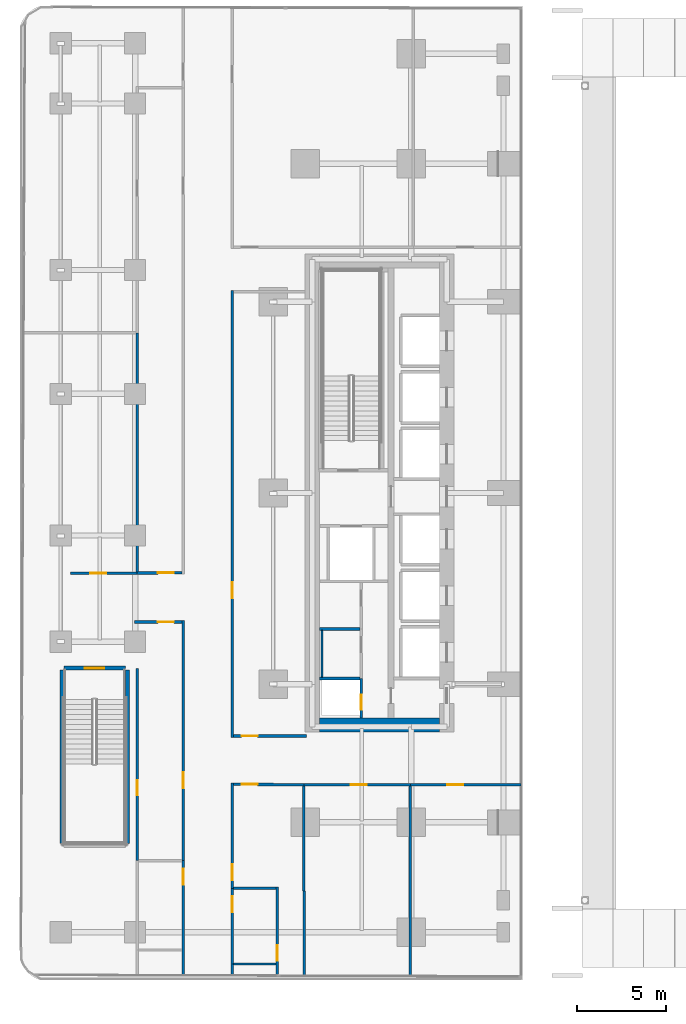
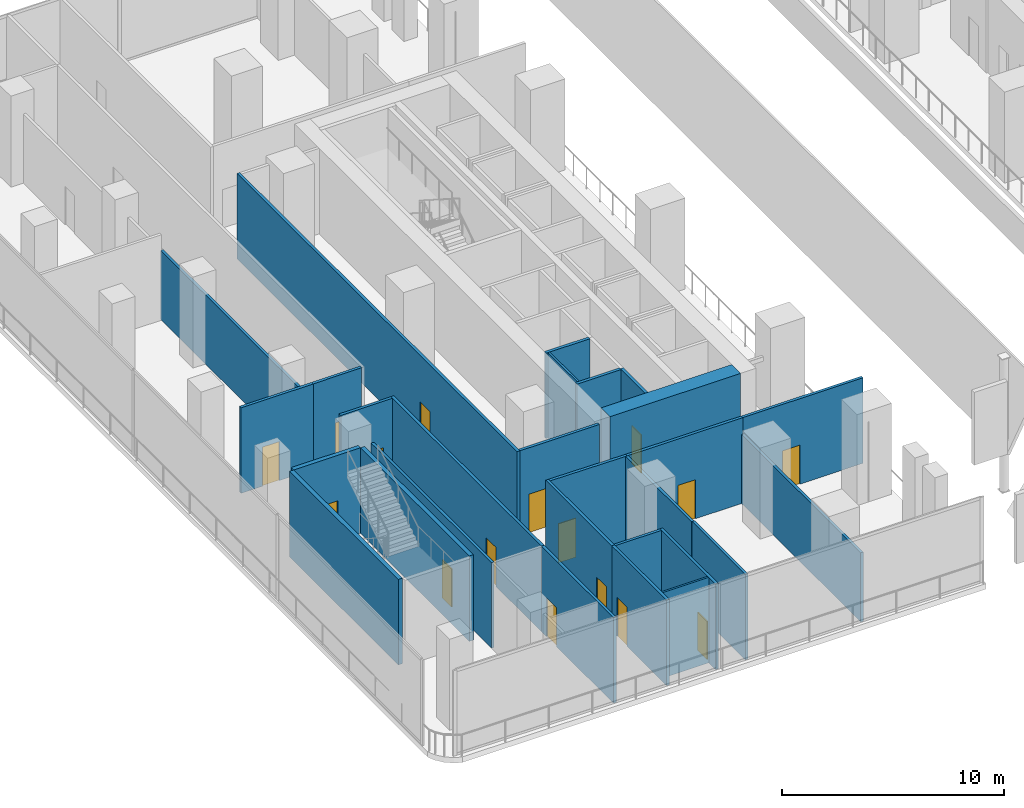
# One storey, part 8 of 31: 28 walls, 16 doors, 16 openings.
"""IFC4 building model written with IfcOpenShell, lengths in metres."""

from ifc_helpers import new_model, si_unit, direction, frame, frame_2d, origin, place, context, subcontext, project, spatial, rectangle, extrude, material, layer, layer_set, type_object, element, fill, save


model = new_model("IFC4")

# Units and contexts
model_context = context("Model", 3, precision=1e-05, world=origin(), true_north=direction((0.0, 1.0)))
body_context = subcontext(model_context, "Body", "Model", "MODEL_VIEW")
ifc_project = project(units=[si_unit("LENGTHUNIT", "METRE"), si_unit("AREAUNIT", "SQUARE_METRE"), si_unit("VOLUMEUNIT", "CUBIC_METRE"), si_unit("PLANEANGLEUNIT", "RADIAN"), si_unit("MASSUNIT", "GRAM", prefix="KILO")], contexts=[model_context])

# Site, building, storey
site_placement = place(None, origin())
site = spatial("IfcSite", under=ifc_project, at=site_placement, CompositionType="ELEMENT")
building_placement = place(site_placement, origin())
building = spatial("IfcBuilding", under=site, at=building_placement, Name="Khairoan Windgate Tower", CompositionType="ELEMENT")
storey_placement = place(building_placement, frame((0.0, 0.0, 11.0)))
storey = spatial("IfcBuildingStorey", under=building, at=storey_placement, Name="L03", CompositionType="ELEMENT", Elevation=11.0)

# Walls
ifc_material_1 = material(Name="Moisture-Resistant Gypsum Partition", Category="gypsum")
ifc_layer_1 = layer(ifc_material_1, 0.10009765625, Name="Moisture-Resistant Gypsum Partition")
ifc_layer_set_1 = layer_set([ifc_layer_1], Name="Moisture-Resistant Gypsum Partition")
wall_type_1 = type_object("IfcWallType", Name="Bathroom Wet-Area Partition Wall", PredefinedType="PARTITIONING", material=ifc_layer_set_1)
wall_1_placement = place(storey_placement, frame((-19.449951171875, -10.389892578125, 0.0), z_axis=(0.0, 0.0, 1.0), x_axis=(0.0, 1.0, 0.0)))
element("IfcWall", 1, at=wall_1_placement, inside=storey, type_object=wall_type_1, Name="L03 Wet Room Side Wall 075", PredefinedType="PARTITIONING", context=body_context, shape_type="SweptSolid", body=[
    extrude(rectangle(XDim=2.639892578125, YDim=0.10009765625, at=frame_2d((1.31982421875, 0.0))), origin(), (0.0, 0.0, 1.0), 4.699951171875),
])
wall_2_placement = place(storey_placement, frame((-22.050048828125, -26.60009765625, 0.0), z_axis=(0.0, 0.0, 1.0), x_axis=(-1.0, 0.0, 0.0)))
element("IfcWall", 2, at=wall_2_placement, inside=storey, type_object=wall_type_1, Name="L03 Wet Room Side Wall 077", PredefinedType="PARTITIONING", context=body_context, shape_type="SweptSolid", body=[
    extrude(rectangle(XDim=2.39501953125, YDim=0.10009765625, at=frame_2d((1.197509765625, 0.0))), origin(), (0.0, 0.0, 1.0), 4.699951171875),
])
ifc_material_2 = material(Name="Acoustic Fire-Rated Gypsum Partition", Category="gypsum")
ifc_layer_2 = layer(ifc_material_2, 0.139892578125, Name="Acoustic Fire-Rated Gypsum Partition")
ifc_layer_set_2 = layer_set([ifc_layer_2], Name="Acoustic Fire-Rated Gypsum Partition")
wall_type_2 = type_object("IfcWallType", Name="Inter-Tenancy Compartment Wall", PredefinedType="PARTITIONING", material=ifc_layer_set_2)
wall_3_placement = place(storey_placement, frame((-29.8798828125, -4.445068359375, 0.0), z_axis=(0.0, 0.0, 1.0), x_axis=(0.0, 1.0, 0.0)))
element("IfcWall", 3, at=wall_3_placement, inside=storey, type_object=wall_type_2, Name="L03 Interior Partition 028", PredefinedType="PARTITIONING", context=body_context, shape_type="SweptSolid", body=[
    extrude(rectangle(XDim=13.485107421875, YDim=0.139892578125, at=frame_2d((6.74267578125, 0.0))), origin(), (0.0, 0.0, 1.0), 3.800048828125),
])

# Wall, opening, door
wall_4_placement = place(storey_placement, frame((-21.97998046875, -27.265869140625, 0.0), z_axis=(0.0, 0.0, 1.0), x_axis=(0.0, 1.0, 0.0)))
wall_4 = element("IfcWall", 4, at=wall_4_placement, inside=storey, type_object=wall_type_2, Name="L03 Interior Partition 033", PredefinedType="PARTITIONING", context=body_context, shape_type="SweptSolid", body=[
    extrude(rectangle(XDim=5.015869140625, YDim=0.139892578125, at=frame_2d((2.5078125, 0.0))), origin(), (0.0, 0.0, 1.0), 4.699951171875),
])
opening_1_placement = place(wall_4_placement, frame((0.86572265625, 0.0, 0.0)))
opening_1 = element("IfcOpeningElement", 5, at=opening_1_placement, cuts=wall_4, Name="Opening FD-SRV", PredefinedType="OPENING", context=body_context, shape_type="SweptSolid", body=[
    extrude(rectangle(XDim=0.85009765625, YDim=2.10009765625, at=frame_2d((0.425048828125, 1.050048828125))), frame((0.0, 0.079833984375, 0.0), z_axis=(0.0, -1.0, 0.0), x_axis=(1.0, 0.0, 0.0)), (0.0, 0.0, 1.0), 0.159912109375),
])
ifc_material_3 = material(Name="Steel S355", Category="steel")
door_type_1 = type_object("IfcDoorType", Name="Core Service and Riser Fire Door FD-SRV 850x2100", OperationType="NOTDEFINED", PredefinedType="DOOR", material=ifc_material_3)
door_1_placement = place(opening_1_placement, origin())
door_1 = element("IfcDoor", 6, at=door_1_placement, inside=storey, type_object=door_type_1, Name="L03 L03-38-L03-59 Door", OperationType="SINGLE_SWING_LEFT", OverallHeight=2.10009765625, OverallWidth=0.85009765625, PredefinedType="DOOR", context=body_context, shape_type="SweptSolid", body=[
    extrude(rectangle(XDim=0.85009765625, YDim=2.10009765625, at=frame_2d((0.425048828125, 1.050048828125))), frame((0.0, 0.02490234375, 0.0), z_axis=(0.0, -1.0, 0.0), x_axis=(1.0, 0.0, 0.0)), (0.0, 0.0, 1.0), 0.050048828125),
])
fill(opening_1, door_1)

# Wall
wall_5_placement = place(storey_placement, frame((-24.445068359375, -22.320068359375, 0.0), z_axis=(0.0, 0.0, 1.0), x_axis=(1.0, 0.0, 0.0)))
element("IfcWall", 7, at=wall_5_placement, inside=storey, type_object=wall_type_2, Name="L03 Interior Partition 034", PredefinedType="PARTITIONING", context=body_context, shape_type="SweptSolid", body=[
    extrude(rectangle(XDim=2.39501953125, YDim=0.139892578125, at=frame_2d((1.197509765625, 0.0))), origin(), (0.0, 0.0, 1.0), 4.699951171875),
])

# Wall, opening, door
wall_6_placement = place(storey_placement, frame((-29.8798828125, -20.760009765625, 0.0), z_axis=(0.0, 0.0, 1.0), x_axis=(0.0, 1.0, 0.0)))
wall_6 = element("IfcWall", 8, at=wall_6_placement, inside=storey, type_object=wall_type_2, Name="L03 Interior Partition 067", PredefinedType="PARTITIONING", context=body_context, shape_type="SweptSolid", body=[
    extrude(rectangle(XDim=10.840087890625, YDim=0.139892578125, at=frame_2d((5.419921875, 0.0))), origin(), (0.0, 0.0, 1.0), 4.699951171875),
])
opening_2_placement = place(wall_6_placement, frame((3.684814453125, 0.0, 0.0)))
opening_2 = element("IfcOpeningElement", 9, at=opening_2_placement, cuts=wall_6, Name="Opening FD-SRV", PredefinedType="OPENING", context=body_context, shape_type="SweptSolid", body=[
    extrude(rectangle(XDim=0.85009765625, YDim=2.10009765625, at=frame_2d((0.425048828125, 1.050048828125))), frame((0.0, 0.079833984375, 0.0), z_axis=(0.0, -1.0, 0.0), x_axis=(1.0, 0.0, 0.0)), (0.0, 0.0, 1.0), 0.159912109375),
])
door_2_placement = place(opening_2_placement, origin())
door_2 = element("IfcDoor", 10, at=door_2_placement, inside=storey, type_object=door_type_1, Name="L03 L03-54-L03-58 Door", OperationType="SINGLE_SWING_RIGHT", OverallHeight=2.10009765625, OverallWidth=0.85009765625, PredefinedType="DOOR", context=body_context, shape_type="SweptSolid", body=[
    extrude(rectangle(XDim=0.85009765625, YDim=2.10009765625, at=frame_2d((0.425048828125, 1.050048828125))), frame((0.0, 0.02490234375, 0.0), z_axis=(0.0, -1.0, 0.0), x_axis=(1.0, 0.0, 0.0)), (0.0, 0.0, 1.0), 0.050048828125),
])
fill(opening_2, door_2)

# Walls
wall_7_placement = place(storey_placement, frame((-14.449951171875, -27.28955078125, 0.0), z_axis=(0.0, 0.0, 1.0), x_axis=(0.0, 1.0, 0.0)))
element("IfcWall", 11, at=wall_7_placement, inside=storey, type_object=wall_type_2, Name="L03 Interior Partition 069", PredefinedType="PARTITIONING", context=body_context, shape_type="SweptSolid", body=[
    extrude(rectangle(XDim=10.734619140625, YDim=0.139892578125, at=frame_2d((5.3671875, 0.0))), origin(), (0.0, 0.0, 1.0), 3.800048828125),
])
wall_8_placement = place(storey_placement, frame((-20.43994140625, -27.270751953125, 0.0), z_axis=(0.0, 0.0, 1.0), x_axis=(0.0, 1.0, 0.0)))
element("IfcWall", 12, at=wall_8_placement, inside=storey, type_object=wall_type_2, Name="L03 Interior Partition 070", PredefinedType="PARTITIONING", context=body_context, shape_type="SweptSolid", body=[
    extrude(rectangle(XDim=4.790771484375, YDim=0.139892578125, at=frame_2d((2.3955078125, 0.0))), origin(), (0.0, 0.0, 1.0), 4.699951171875),
])
wall_9_placement = place(storey_placement, frame((-20.47509765625, -22.47998046875, 0.0), z_axis=(0.0, 0.0, 1.0), x_axis=(0.0, 1.0, 0.0)))
element("IfcWall", 13, at=wall_9_placement, inside=storey, type_object=wall_type_2, Name="L03 Interior Partition 071", PredefinedType="PARTITIONING", context=body_context, shape_type="SweptSolid", body=[
    extrude(rectangle(XDim=5.925048828125, YDim=0.139892578125, at=frame_2d((2.96240234375, 0.0))), origin(), (0.0, 0.0, 1.0), 4.699951171875),
])

# Wall, opening, door
ifc_material_4 = material(Name="Concrete C40/50", Category="concrete")
ifc_layer_3 = layer(ifc_material_4, 0.159912109375, Name="Concrete C40/50")
ifc_layer_set_3 = layer_set([ifc_layer_3], Name="Concrete C40/50")
wall_type_3 = type_object("IfcWallType", Name="Plant and Refuge Compartment Wall", PredefinedType="PARTITIONING", material=ifc_layer_set_3)
wall_10_placement = place(storey_placement, frame((-17.22998046875, -12.699951171875, 0.0), z_axis=(0.0, 0.0, 1.0), x_axis=(0.0, 1.0, 0.0)))
wall_10 = element("IfcWall", 14, at=wall_10_placement, inside=storey, type_object=wall_type_3, Name="L03 Interior Partition 001", PredefinedType="PARTITIONING", context=body_context, shape_type="SweptSolid", body=[
    extrude(rectangle(XDim=2.22998046875, YDim=0.159912109375, at=frame_2d((1.114990234375, 0.0))), origin(), (0.0, 0.0, 1.0), 4.699951171875),
])
opening_3_placement = place(wall_10_placement, frame((0.4599609375, 0.0, 0.0)))
opening_3 = element("IfcOpeningElement", 15, at=opening_3_placement, cuts=wall_10, Name="Opening FD-SRV", PredefinedType="OPENING", context=body_context, shape_type="SweptSolid", body=[
    extrude(rectangle(XDim=0.85009765625, YDim=2.10009765625, at=frame_2d((0.425048828125, 1.050048828125))), frame((0.0, 0.08984375, 0.0), z_axis=(0.0, -1.0, 0.0), x_axis=(1.0, 0.0, 0.0)), (0.0, 0.0, 1.0), 0.179931640625),
])
door_3_placement = place(opening_3_placement, origin())
door_3 = element("IfcDoor", 16, at=door_3_placement, inside=storey, type_object=door_type_1, Name="L03 L03-04-L03-05 Door", OperationType="SINGLE_SWING_RIGHT", OverallHeight=2.10009765625, OverallWidth=0.85009765625, PredefinedType="DOOR", context=body_context, shape_type="SweptSolid", body=[
    extrude(rectangle(XDim=0.85009765625, YDim=2.10009765625, at=frame_2d((0.425048828125, 1.050048828125))), frame((0.0, 0.02490234375, 0.0), z_axis=(0.0, -1.0, 0.0), x_axis=(1.0, 0.0, 0.0)), (0.0, 0.0, 1.0), 0.050048828125),
])
fill(opening_3, door_3)

# Walls
for number, where, z_axis, x_axis, name in (
    (17, (-19.60009765625, -10.469970703125, 0.0), (0.0, 0.0, 1.0), (1.0, 0.0, 0.0), "L03 Interior Partition 004"),
    (18, (-19.60009765625, -7.669921875, 0.0), (0.0, 0.0, 1.0), (1.0, 0.0, 0.0), "L03 Interior Partition 005"),
):
    element("IfcWall", number, at=place(storey_placement, frame(where, z_axis=z_axis, x_axis=x_axis)), inside=storey, type_object=wall_type_3, Name=name, PredefinedType="PARTITIONING", context=body_context, shape_type="SweptSolid", body=[
        extrude(rectangle(XDim=2.2900390625, YDim=0.159912109375, at=frame_2d((1.14501953125, 0.0))), origin(), (0.0, 0.0, 1.0), 4.699951171875),
    ])

# Wall, opening, door
ifc_material_5 = material(Name="Acoustic Fire-Rated Gypsum Partition", Category="gypsum")
ifc_layer_4 = layer(ifc_material_5, 0.14990234375, Name="Acoustic Fire-Rated Gypsum Partition")
ifc_layer_set_4 = layer_set([ifc_layer_4], Name="Acoustic Fire-Rated Gypsum Partition")
wall_type_4 = type_object("IfcWallType", Name="Rated Corridor Partition Wall", PredefinedType="PARTITIONING", material=ifc_layer_set_4)
wall_11_placement = place(storey_placement, frame((-27.280029296875, -27.2490234375, 0.0), z_axis=(0.0, 0.0, 1.0), x_axis=(0.0, 1.0, 0.0)))
wall_11 = element("IfcWall", 19, at=wall_11_placement, inside=storey, type_object=wall_type_4, Name="L03 Interior Partition 010", PredefinedType="PARTITIONING", context=body_context, shape_type="SweptSolid", body=[
    extrude(rectangle(XDim=6.489013671875, YDim=0.14990234375, at=frame_2d((3.24462890625, 0.0))), origin(), (0.0, 0.0, 1.0), 4.699951171875),
])
opening_4_placement = place(wall_11_placement, frame((5.129150390625, 0.0, 0.0)))
opening_4 = element("IfcOpeningElement", 20, at=opening_4_placement, cuts=wall_11, Name="Opening FD-ENT", PredefinedType="OPENING", context=body_context, shape_type="SweptSolid", body=[
    extrude(rectangle(XDim=0.89990234375, YDim=2.14990234375, at=frame_2d((0.449951171875, 1.074951171875))), frame((0.0, 0.0849609375, 0.0), z_axis=(0.0, -1.0, 0.0), x_axis=(1.0, 0.0, 0.0)), (0.0, 0.0, 1.0), 0.169921875),
])
ifc_material_6 = material(Name="Timber Fire-Rated Core", Category="wood")
door_type_2 = type_object("IfcDoorType", Name="Unit and Office Fire Entrance Door FD-ENT 900x2150", OperationType="NOTDEFINED", PredefinedType="DOOR", material=ifc_material_6)
door_4_placement = place(opening_4_placement, origin())
door_4 = element("IfcDoor", 21, at=door_4_placement, inside=storey, type_object=door_type_2, Name="L03 L03-29-L03-37 Door", OperationType="SINGLE_SWING_RIGHT", OverallHeight=2.14990234375, OverallWidth=0.89990234375, PredefinedType="DOOR", context=body_context, shape_type="SweptSolid", body=[
    extrude(rectangle(XDim=0.89990234375, YDim=2.14990234375, at=frame_2d((0.449951171875, 1.074951171875))), frame((0.0, 0.02490234375, 0.0), z_axis=(0.0, -1.0, 0.0), x_axis=(1.0, 0.0, 0.0)), (0.0, 0.0, 1.0), 0.050048828125),
])
fill(opening_4, door_4)

wall_12_placement = place(storey_placement, frame((-24.52001953125, -27.2578125, 0.0), z_axis=(0.0, 0.0, 1.0), x_axis=(0.0, 1.0, 0.0)))
wall_12 = element("IfcWall", 22, at=wall_12_placement, inside=storey, type_object=wall_type_4, Name="L03 Interior Partition 011", PredefinedType="PARTITIONING", context=body_context, shape_type="SweptSolid", body=[
    extrude(rectangle(XDim=4.937744140625, YDim=0.14990234375, at=frame_2d((2.46875, 0.0))), origin(), (0.0, 0.0, 1.0), 4.699951171875),
])
opening_5_placement = place(wall_12_placement, frame((3.577880859375, 0.0, 0.0)))
opening_5 = element("IfcOpeningElement", 23, at=opening_5_placement, cuts=wall_12, Name="Opening FD-ENT", PredefinedType="OPENING", context=body_context, shape_type="SweptSolid", body=[
    extrude(rectangle(XDim=0.89990234375, YDim=2.14990234375, at=frame_2d((0.449951171875, 1.074951171875))), frame((0.0, 0.0849609375, 0.0), z_axis=(0.0, -1.0, 0.0), x_axis=(1.0, 0.0, 0.0)), (0.0, 0.0, 1.0), 0.169921875),
])
door_5_placement = place(opening_5_placement, origin())
door_5 = element("IfcDoor", 24, at=door_5_placement, inside=storey, type_object=door_type_2, Name="L03 L03-29-L03-38 Door", OperationType="SINGLE_SWING_LEFT", OverallHeight=2.14990234375, OverallWidth=0.89990234375, PredefinedType="DOOR", context=body_context, shape_type="SweptSolid", body=[
    extrude(rectangle(XDim=0.89990234375, YDim=2.14990234375, at=frame_2d((0.449951171875, 1.074951171875))), frame((0.0, 0.02490234375, 0.0), z_axis=(0.0, -1.0, 0.0), x_axis=(1.0, 0.0, 0.0)), (0.0, 0.0, 1.0), 0.050048828125),
])
fill(opening_5, door_5)

wall_13_placement = place(storey_placement, frame((-24.52001953125, -13.794921875, 0.0), z_axis=(0.0, 0.0, 1.0), x_axis=(0.0, 1.0, 0.0)))
wall_13 = element("IfcWall", 25, at=wall_13_placement, inside=storey, type_object=wall_type_4, Name="L03 Interior Partition 012", PredefinedType="PARTITIONING", context=body_context, shape_type="SweptSolid", body=[
    extrude(rectangle(XDim=25.22998046875, YDim=0.14990234375, at=frame_2d((12.614990234375, 0.0))), origin(), (0.0, 0.0, 1.0), 4.699951171875),
])
opening_6_placement = place(wall_13_placement, frame((7.86328125, 0.0, 0.0)))
opening_6 = element("IfcOpeningElement", 26, at=opening_6_placement, cuts=wall_13, Name="Opening FD-ENT", PredefinedType="OPENING", context=body_context, shape_type="SweptSolid", body=[
    extrude(rectangle(XDim=0.89990234375, YDim=2.14990234375, at=frame_2d((0.449951171875, 1.074951171875))), frame((0.0, 0.0849609375, 0.0), z_axis=(0.0, -1.0, 0.0), x_axis=(1.0, 0.0, 0.0)), (0.0, 0.0, 1.0), 0.169921875),
])
door_6_placement = place(opening_6_placement, origin())
door_6 = element("IfcDoor", 27, at=door_6_placement, inside=storey, type_object=door_type_2, Name="L03 L03-29-L03-53 Door", OperationType="SINGLE_SWING_RIGHT", OverallHeight=2.14990234375, OverallWidth=0.89990234375, PredefinedType="DOOR", context=body_context, shape_type="SweptSolid", body=[
    extrude(rectangle(XDim=0.89990234375, YDim=2.14990234375, at=frame_2d((0.449951171875, 1.074951171875))), frame((0.0, 0.02490234375, 0.0), z_axis=(0.0, -1.0, 0.0), x_axis=(1.0, 0.0, 0.0)), (0.0, 0.0, 1.0), 0.050048828125),
])
fill(opening_6, door_6)

wall_14_placement = place(storey_placement, frame((-27.280029296875, -20.760009765625, 0.0), z_axis=(0.0, 0.0, 1.0), x_axis=(0.0, 1.0, 0.0)))
wall_14 = element("IfcWall", 28, at=wall_14_placement, inside=storey, type_object=wall_type_4, Name="L03 Interior Partition 013", PredefinedType="PARTITIONING", context=body_context, shape_type="SweptSolid", body=[
    extrude(rectangle(XDim=13.554931640625, YDim=0.14990234375, at=frame_2d((6.77734375, 0.0))), origin(), (0.0, 0.0, 1.0), 4.699951171875),
])
opening_7_placement = place(wall_14_placement, frame((4.101806640625, 0.0, 0.0)))
opening_7 = element("IfcOpeningElement", 29, at=opening_7_placement, cuts=wall_14, Name="Opening FD-ENT", PredefinedType="OPENING", context=body_context, shape_type="SweptSolid", body=[
    extrude(rectangle(XDim=0.89990234375, YDim=2.14990234375, at=frame_2d((0.449951171875, 1.074951171875))), frame((0.0, 0.0849609375, 0.0), z_axis=(0.0, -1.0, 0.0), x_axis=(1.0, 0.0, 0.0)), (0.0, 0.0, 1.0), 0.169921875),
])
door_7_placement = place(opening_7_placement, origin())
door_7 = element("IfcDoor", 30, at=door_7_placement, inside=storey, type_object=door_type_2, Name="L03 L03-29-L03-54 Door", OperationType="SINGLE_SWING_LEFT", OverallHeight=2.14990234375, OverallWidth=0.89990234375, PredefinedType="DOOR", context=body_context, shape_type="SweptSolid", body=[
    extrude(rectangle(XDim=0.89990234375, YDim=2.14990234375, at=frame_2d((0.449951171875, 1.074951171875))), frame((0.0, 0.02490234375, 0.0), z_axis=(0.0, -1.0, 0.0), x_axis=(1.0, 0.0, 0.0)), (0.0, 0.0, 1.0), 0.050048828125),
])
fill(opening_7, door_7)

wall_15_placement = place(storey_placement, frame((-24.52001953125, -22.320068359375, 0.0), z_axis=(0.0, 0.0, 1.0), x_axis=(0.0, 1.0, 0.0)))
wall_15 = element("IfcWall", 31, at=wall_15_placement, inside=storey, type_object=wall_type_4, Name="L03 Interior Partition 015", PredefinedType="PARTITIONING", context=body_context, shape_type="SweptSolid", body=[
    extrude(rectangle(XDim=5.95361328125, YDim=0.14990234375, at=frame_2d((2.976806640625, 0.0))), origin(), (0.0, 0.0, 1.0), 4.699951171875),
])
opening_8_placement = place(wall_15_placement, frame((0.4599609375, 0.0, 0.0)))
opening_8 = element("IfcOpeningElement", 32, at=opening_8_placement, cuts=wall_15, Name="Opening FD-ENT", PredefinedType="OPENING", context=body_context, shape_type="SweptSolid", body=[
    extrude(rectangle(XDim=0.89990234375, YDim=2.14990234375, at=frame_2d((0.449951171875, 1.074951171875))), frame((0.0, 0.0849609375, 0.0), z_axis=(0.0, -1.0, 0.0), x_axis=(1.0, 0.0, 0.0)), (0.0, 0.0, 1.0), 0.169921875),
])
door_8_placement = place(opening_8_placement, origin())
door_8 = element("IfcDoor", 33, at=door_8_placement, inside=storey, type_object=door_type_2, Name="L03 L03-29-L03-64 Door", OperationType="SINGLE_SWING_LEFT", OverallHeight=2.14990234375, OverallWidth=0.89990234375, PredefinedType="DOOR", context=body_context, shape_type="SweptSolid", body=[
    extrude(rectangle(XDim=0.89990234375, YDim=2.14990234375, at=frame_2d((0.449951171875, 1.074951171875))), frame((0.0, 0.02490234375, 0.0), z_axis=(0.0, -1.0, 0.0), x_axis=(1.0, 0.0, 0.0)), (0.0, 0.0, 1.0), 0.050048828125),
])
fill(opening_8, door_8)

wall_16_placement = place(storey_placement, frame((-24.445068359375, -13.719970703125, 0.0), z_axis=(0.0, 0.0, 1.0), x_axis=(1.0, 0.0, 0.0)))
wall_16 = element("IfcWall", 34, at=wall_16_placement, inside=storey, type_object=wall_type_4, Name="L03 Interior Partition 017", PredefinedType="PARTITIONING", context=body_context, shape_type="SweptSolid", body=[
    extrude(rectangle(XDim=4.135009765625, YDim=0.14990234375, at=frame_2d((2.0673828125, 0.0))), origin(), (0.0, 0.0, 1.0), 4.699951171875),
])
opening_9_placement = place(wall_16_placement, frame((0.4599609375, 0.0, 0.0)))
opening_9 = element("IfcOpeningElement", 35, at=opening_9_placement, cuts=wall_16, Name="Opening FD-ENT", PredefinedType="OPENING", context=body_context, shape_type="SweptSolid", body=[
    extrude(rectangle(XDim=0.89990234375, YDim=2.14990234375, at=frame_2d((0.449951171875, 1.074951171875))), frame((0.0, 0.0849609375, 0.0), z_axis=(0.0, -1.0, 0.0), x_axis=(1.0, 0.0, 0.0)), (0.0, 0.0, 1.0), 0.169921875),
])
door_9_placement = place(opening_9_placement, origin())
door_9 = element("IfcDoor", 36, at=door_9_placement, inside=storey, type_object=door_type_2, Name="L03 L03-30-L03-53 Door", OperationType="SINGLE_SWING_LEFT", OverallHeight=2.14990234375, OverallWidth=0.89990234375, PredefinedType="DOOR", context=body_context, shape_type="SweptSolid", body=[
    extrude(rectangle(XDim=0.89990234375, YDim=2.14990234375, at=frame_2d((0.449951171875, 1.074951171875))), frame((0.0, 0.02490234375, 0.0), z_axis=(0.0, -1.0, 0.0), x_axis=(1.0, 0.0, 0.0)), (0.0, 0.0, 1.0), 0.050048828125),
])
fill(opening_9, door_9)

wall_17_placement = place(storey_placement, frame((-20.47509765625, -16.47998046875, 0.0), z_axis=(0.0, 0.0, 1.0), x_axis=(1.0, 0.0, 0.0)))
wall_17 = element("IfcWall", 37, at=wall_17_placement, inside=storey, type_object=wall_type_4, Name="L03 Interior Partition 018", PredefinedType="PARTITIONING", context=body_context, shape_type="SweptSolid", body=[
    extrude(rectangle(XDim=6.025146484375, YDim=0.14990234375, at=frame_2d((3.0126953125, 0.0))), origin(), (0.0, 0.0, 1.0), 4.699951171875),
])
opening_10_placement = place(wall_17_placement, frame((2.66259765625, 0.0, 0.0)))
opening_10 = element("IfcOpeningElement", 38, at=opening_10_placement, cuts=wall_17, Name="Opening FD-ENT", PredefinedType="OPENING", context=body_context, shape_type="SweptSolid", body=[
    extrude(rectangle(XDim=0.89990234375, YDim=2.14990234375, at=frame_2d((0.449951171875, 1.074951171875))), frame((0.0, 0.0849609375, 0.0), z_axis=(0.0, -1.0, 0.0), x_axis=(1.0, 0.0, 0.0)), (0.0, 0.0, 1.0), 0.169921875),
])
door_10_placement = place(opening_10_placement, origin())
door_10 = element("IfcDoor", 39, at=door_10_placement, inside=storey, type_object=door_type_2, Name="L03 L03-30-L03-56 Door", OperationType="SINGLE_SWING_RIGHT", OverallHeight=2.14990234375, OverallWidth=0.89990234375, PredefinedType="DOOR", context=body_context, shape_type="SweptSolid", body=[
    extrude(rectangle(XDim=0.89990234375, YDim=2.14990234375, at=frame_2d((0.449951171875, 1.074951171875))), frame((0.0, 0.02490234375, 0.0), z_axis=(0.0, -1.0, 0.0), x_axis=(1.0, 0.0, 0.0)), (0.0, 0.0, 1.0), 0.050048828125),
])
fill(opening_10, door_10)

wall_18_placement = place(storey_placement, frame((-14.449951171875, -16.47998046875, 0.0), z_axis=(0.0, 0.0, 1.0), x_axis=(1.0, 0.0, 0.0)))
wall_18 = element("IfcWall", 40, at=wall_18_placement, inside=storey, type_object=wall_type_4, Name="L03 Interior Partition 019", PredefinedType="PARTITIONING", context=body_context, shape_type="SweptSolid", body=[
    extrude(rectangle(XDim=6.244873046875, YDim=0.14990234375, at=frame_2d((3.12255859375, 0.0))), origin(), (0.0, 0.0, 1.0), 4.699951171875),
])
opening_11_placement = place(wall_18_placement, frame((2.069091796875, 0.0, 0.0)))
opening_11 = element("IfcOpeningElement", 41, at=opening_11_placement, cuts=wall_18, Name="Opening FD-ENT", PredefinedType="OPENING", context=body_context, shape_type="SweptSolid", body=[
    extrude(rectangle(XDim=0.89990234375, YDim=2.14990234375, at=frame_2d((0.449951171875, 1.074951171875))), frame((0.0, 0.0849609375, 0.0), z_axis=(0.0, -1.0, 0.0), x_axis=(1.0, 0.0, 0.0)), (0.0, 0.0, 1.0), 0.169921875),
])
door_11_placement = place(opening_11_placement, origin())
door_11 = element("IfcDoor", 42, at=door_11_placement, inside=storey, type_object=door_type_2, Name="L03 L03-30-L03-57 Door", OperationType="SINGLE_SWING_LEFT", OverallHeight=2.14990234375, OverallWidth=0.89990234375, PredefinedType="DOOR", context=body_context, shape_type="SweptSolid", body=[
    extrude(rectangle(XDim=0.89990234375, YDim=2.14990234375, at=frame_2d((0.449951171875, 1.074951171875))), frame((0.0, 0.02490234375, 0.0), z_axis=(0.0, -1.0, 0.0), x_axis=(1.0, 0.0, 0.0)), (0.0, 0.0, 1.0), 0.050048828125),
])
fill(opening_11, door_11)

wall_19_placement = place(storey_placement, frame((-24.445068359375, -16.442138671875, 0.0), z_axis=(0.0, 0.0, 1.0), x_axis=(0.999954573497, -0.009531576096, 0.0)))
wall_19 = element("IfcWall", 43, at=wall_19_placement, inside=storey, type_object=wall_type_4, Name="L03 Interior Partition 020", PredefinedType="PARTITIONING", context=body_context, shape_type="SweptSolid", body=[
    extrude(rectangle(XDim=3.97021484375, YDim=0.14990234375, at=frame_2d((1.985107421875, 0.0))), origin(), (0.0, 0.0, 1.0), 4.699951171875),
])
opening_12_placement = place(wall_19_placement, frame((0.4599609375, 0.0, 0.0)))
opening_12 = element("IfcOpeningElement", 44, at=opening_12_placement, cuts=wall_19, Name="Opening FD-ENT", PredefinedType="OPENING", context=body_context, shape_type="SweptSolid", body=[
    extrude(rectangle(XDim=0.89990234375, YDim=2.14990234375, at=frame_2d((0.449951171875, 1.074951171875))), frame((0.0, 0.0849609375, 0.0), z_axis=(0.0, -1.0, 0.0), x_axis=(1.0, 0.0, 0.0)), (0.0, 0.0, 1.0), 0.169921875),
])
door_12_placement = place(opening_12_placement, origin())
door_12 = element("IfcDoor", 45, at=door_12_placement, inside=storey, type_object=door_type_2, Name="L03 L03-30-L03-64 Door", OperationType="SINGLE_SWING_RIGHT", OverallHeight=2.14990234375, OverallWidth=0.89990234375, PredefinedType="DOOR", context=body_context, shape_type="SweptSolid", body=[
    extrude(rectangle(XDim=0.89990234375, YDim=2.14990234375, at=frame_2d((0.449951171875, 1.074951171875))), frame((0.0, 0.02490234375, 0.0), z_axis=(0.0, -1.0, 0.0), x_axis=(1.0, 0.0, 0.0)), (0.0, 0.0, 1.0), 0.050048828125),
])
fill(opening_12, door_12)

wall_20_placement = place(storey_placement, frame((-33.639892578125, -4.52001953125, 0.0), z_axis=(0.0, 0.0, 1.0), x_axis=(1.0, 0.0, 0.0)))
wall_20 = element("IfcWall", 46, at=wall_20_placement, inside=storey, type_object=wall_type_4, Name="L03 Interior Partition 024", PredefinedType="PARTITIONING", context=body_context, shape_type="SweptSolid", body=[
    extrude(rectangle(XDim=3.760009765625, YDim=0.14990234375, at=frame_2d((1.8798828125, 0.0))), origin(), (0.0, 0.0, 1.0), 4.699951171875),
])
opening_13_placement = place(wall_20_placement, frame((1.106689453125, 0.0, 0.0)))
opening_13 = element("IfcOpeningElement", 47, at=opening_13_placement, cuts=wall_20, Name="Opening FD-ENT", PredefinedType="OPENING", context=body_context, shape_type="SweptSolid", body=[
    extrude(rectangle(XDim=0.89990234375, YDim=2.14990234375, at=frame_2d((0.449951171875, 1.074951171875))), frame((0.0, 0.0849609375, 0.0), z_axis=(0.0, -1.0, 0.0), x_axis=(1.0, 0.0, 0.0)), (0.0, 0.0, 1.0), 0.169921875),
])
door_13_placement = place(opening_13_placement, origin())
door_13 = element("IfcDoor", 48, at=door_13_placement, inside=storey, type_object=door_type_2, Name="L03 L03-32-L03-34 Door", OperationType="SINGLE_SWING_RIGHT", OverallHeight=2.14990234375, OverallWidth=0.89990234375, PredefinedType="DOOR", context=body_context, shape_type="SweptSolid", body=[
    extrude(rectangle(XDim=0.89990234375, YDim=2.14990234375, at=frame_2d((0.449951171875, 1.074951171875))), frame((0.0, 0.02490234375, 0.0), z_axis=(0.0, -1.0, 0.0), x_axis=(1.0, 0.0, 0.0)), (0.0, 0.0, 1.0), 0.050048828125),
])
fill(opening_13, door_13)

wall_21_placement = place(storey_placement, frame((-30.0400390625, -7.280029296875, 0.0), z_axis=(0.0, 0.0, 1.0), x_axis=(1.0, 0.0, 0.0)))
wall_21 = element("IfcWall", 49, at=wall_21_placement, inside=storey, type_object=wall_type_4, Name="L03 Interior Partition 025", PredefinedType="PARTITIONING", context=body_context, shape_type="SweptSolid", body=[
    extrude(rectangle(XDim=2.68505859375, YDim=0.14990234375, at=frame_2d((1.342529296875, 0.0))), origin(), (0.0, 0.0, 1.0), 4.699951171875),
])
opening_14_placement = place(wall_21_placement, frame((1.324951171875, 0.0, 0.0)))
opening_14 = element("IfcOpeningElement", 50, at=opening_14_placement, cuts=wall_21, Name="Opening FD-ENT", PredefinedType="OPENING", context=body_context, shape_type="SweptSolid", body=[
    extrude(rectangle(XDim=0.89990234375, YDim=2.14990234375, at=frame_2d((0.449951171875, 1.074951171875))), frame((0.0, 0.0849609375, 0.0), z_axis=(0.0, -1.0, 0.0), x_axis=(1.0, 0.0, 0.0)), (0.0, 0.0, 1.0), 0.169921875),
])
door_14_placement = place(opening_14_placement, origin())
door_14 = element("IfcDoor", 51, at=door_14_placement, inside=storey, type_object=door_type_2, Name="L03 L03-32-L03-54 Door", OperationType="SINGLE_SWING_LEFT", OverallHeight=2.14990234375, OverallWidth=0.89990234375, PredefinedType="DOOR", context=body_context, shape_type="SweptSolid", body=[
    extrude(rectangle(XDim=0.89990234375, YDim=2.14990234375, at=frame_2d((0.449951171875, 1.074951171875))), frame((0.0, 0.02490234375, 0.0), z_axis=(0.0, -1.0, 0.0), x_axis=(1.0, 0.0, 0.0)), (0.0, 0.0, 1.0), 0.050048828125),
])
fill(opening_14, door_14)

wall_22_placement = place(storey_placement, frame((-29.8798828125, -4.52001953125, 0.0), z_axis=(0.0, 0.0, 1.0), x_axis=(0.999973705414, 0.007251791521, 0.0)))
wall_22 = element("IfcWall", 52, at=wall_22_placement, inside=storey, type_object=wall_type_4, Name="L03 Interior Partition 026", PredefinedType="PARTITIONING", context=body_context, shape_type="SweptSolid", body=[
    extrude(rectangle(XDim=2.52490234375, YDim=0.14990234375, at=frame_2d((1.262451171875, 0.0))), origin(), (0.0, 0.0, 1.0), 4.699951171875),
])
opening_15_placement = place(wall_22_placement, frame((1.1650390625, 0.0, 0.0)))
opening_15 = element("IfcOpeningElement", 53, at=opening_15_placement, cuts=wall_22, Name="Opening FD-ENT", PredefinedType="OPENING", context=body_context, shape_type="SweptSolid", body=[
    extrude(rectangle(XDim=0.89990234375, YDim=2.14990234375, at=frame_2d((0.449951171875, 1.074951171875))), frame((0.0, 0.0849609375, 0.0), z_axis=(0.0, -1.0, 0.0), x_axis=(1.0, 0.0, 0.0)), (0.0, 0.0, 1.0), 0.169921875),
])
door_15_placement = place(opening_15_placement, origin())
door_15 = element("IfcDoor", 54, at=door_15_placement, inside=storey, type_object=door_type_2, Name="L03 L03-32-L03-55 Door", OperationType="SINGLE_SWING_RIGHT", OverallHeight=2.14990234375, OverallWidth=0.89990234375, PredefinedType="DOOR", context=body_context, shape_type="SweptSolid", body=[
    extrude(rectangle(XDim=0.89990234375, YDim=2.14990234375, at=frame_2d((0.449951171875, 1.074951171875))), frame((0.0, 0.02490234375, 0.0), z_axis=(0.0, -1.0, 0.0), x_axis=(1.0, 0.0, 0.0)), (0.0, 0.0, 1.0), 0.050048828125),
])
fill(opening_15, door_15)

# Wall
ifc_material_7 = material(Name="Concrete C70/85", Category="concrete")
ifc_layer_5 = layer(ifc_material_7, 0.800048828125, Name="Concrete C70/85")
ifc_layer_set_5 = layer_set([ifc_layer_5], Name="Concrete C70/85")
wall_type_5 = type_object("IfcWallType", Name="Shear Wall CW-W1 800mm", PredefinedType="SHEAR", material=ifc_layer_set_5)
wall_23_placement = place(storey_placement, frame((-19.60009765625, -13.10009765625, 0.0), z_axis=(0.0, 0.0, 1.0), x_axis=(1.0, 0.0, 0.0)))
element("IfcWall", 55, at=wall_23_placement, inside=storey, type_object=wall_type_5, Name="W Core South Shear Wall L03", PredefinedType="SHEAR", context=body_context, shape_type="SweptSolid", body=[
    extrude(rectangle(XDim=6.800048828125, YDim=0.800048828125, at=frame_2d((3.39990234375, 0.0))), origin(), (0.0, 0.0, 1.0), 4.699951171875),
])

# Wall, opening, door
ifc_material_8 = material(Name="Concrete C50/60", Category="concrete")
ifc_layer_6 = layer(ifc_material_8, 0.219970703125, Name="Concrete C50/60")
ifc_layer_set_6 = layer_set([ifc_layer_6], Name="Concrete C50/60")
wall_type_6 = type_object("IfcWallType", Name="Shear Wall SW-ST 220mm", PredefinedType="SHEAR", material=ifc_layer_set_6)
wall_24_placement = place(storey_placement, frame((-30.550048828125, -9.889892578125, 0.0), z_axis=(0.0, 0.0, 1.0), x_axis=(-1.0, 0.0, 0.0)))
wall_24 = element("IfcWall", 56, at=wall_24_placement, inside=storey, type_object=wall_type_6, Name="L03 ST4 North Bearing Wall", PredefinedType="SHEAR", context=body_context, shape_type="SweptSolid", body=[
    extrude(rectangle(XDim=3.469970703125, YDim=0.219970703125, at=frame_2d((1.73486328125, 0.0))), origin(), (0.0, 0.0, 1.0), 4.699951171875),
])
opening_16_placement = place(wall_24_placement, frame((1.179931640625, 0.0, 0.0)))
opening_16 = element("IfcOpeningElement", 57, at=opening_16_placement, cuts=wall_24, Name="Opening FD-ST", PredefinedType="OPENING", context=body_context, shape_type="SweptSolid", body=[
    extrude(rectangle(XDim=1.10009765625, YDim=2.199951171875, at=frame_2d((0.550048828125, 1.10009765625))), frame((0.0, 0.119873046875, 0.0), z_axis=(0.0, -1.0, 0.0), x_axis=(1.0, 0.0, 0.0)), (0.0, 0.0, 1.0), 0.239990234375),
])
ifc_material_9 = material(Name="Steel S355", Category="steel")
door_type_3 = type_object("IfcDoorType", Name="Smokeproof Stair Fire Door FD-ST 1100x2200", OperationType="NOTDEFINED", PredefinedType="DOOR", material=ifc_material_9)
door_16_placement = place(opening_16_placement, origin())
door_16 = element("IfcDoor", 58, at=door_16_placement, inside=storey, type_object=door_type_3, Name="L03 Stair ST4 Fire Door", OperationType="SINGLE_SWING_RIGHT", OverallHeight=2.199951171875, OverallWidth=1.10009765625, PredefinedType="DOOR", context=body_context, shape_type="SweptSolid", body=[
    extrude(rectangle(XDim=1.10009765625, YDim=2.199951171875, at=frame_2d((0.550048828125, 1.10009765625))), frame((0.0, 0.02490234375, 0.0), z_axis=(0.0, -1.0, 0.0), x_axis=(1.0, 0.0, 0.0)), (0.0, 0.0, 1.0), 0.050048828125),
])
fill(opening_16, door_16)

# Walls
for number, where, z_axis, x_axis, name in (
    (59, (-34.1298828125, -19.800048828125, 0.0), (0.0, 0.0, 1.0), (0.0, 1.0, 0.0), "L03 ST4 West Bearing Wall"),
    (60, (-30.43994140625, -19.800048828125, 0.0), (0.0, 0.0, 1.0), (0.0, 1.0, 0.0), "L03 ST4 East Bearing Wall"),
):
    element("IfcWall", number, at=place(storey_placement, frame(where, z_axis=z_axis, x_axis=x_axis)), inside=storey, type_object=wall_type_6, Name=name, PredefinedType="SHEAR", context=body_context, shape_type="SweptSolid", body=[
        extrude(rectangle(XDim=9.800048828125, YDim=0.219970703125, at=frame_2d((4.89990234375, 0.0))), origin(), (0.0, 0.0, 1.0), 4.699951171875),
    ])

save(model, "model.ifc")
